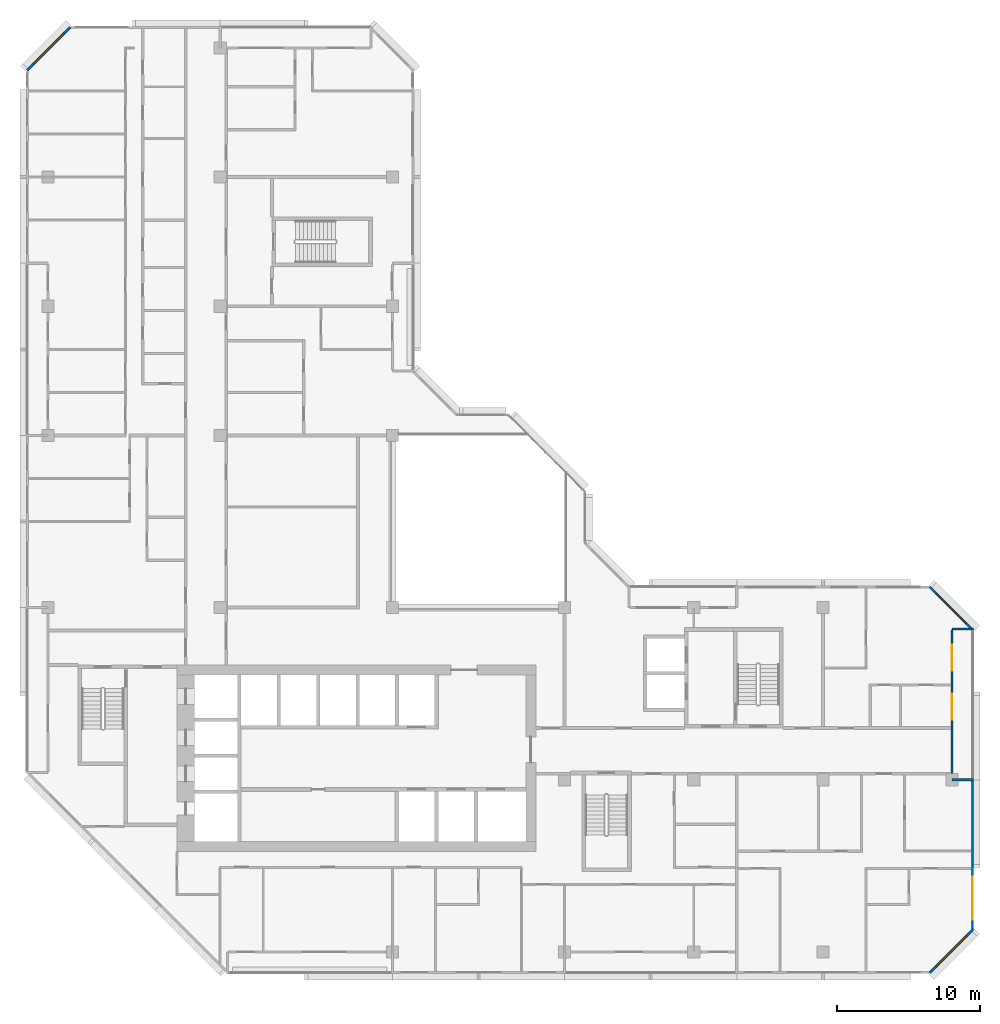
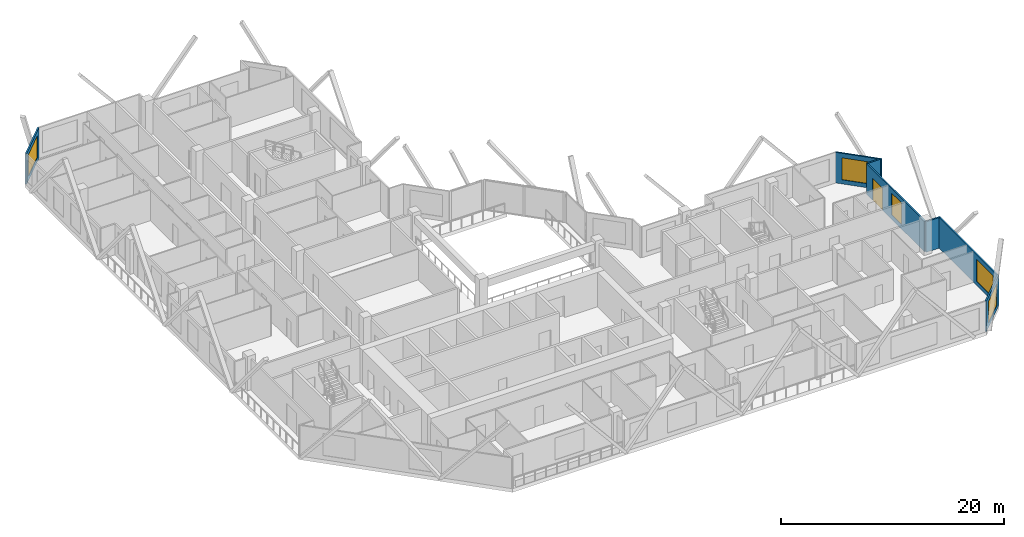
# One storey, part 12 of 15: 7 walls, 5 windows, 1 door, 6 openings.
"""IFC4 building model written with IfcOpenShell, lengths in metres."""

from ifc_helpers import new_model, si_unit, direction, frame, frame_2d, origin, place, context, subcontext, project, spatial, rectangle, extrude, material, layer, layer_set, type_object, element, fill, save


model = new_model("IFC4")

# Units and contexts
model_context = context("Model", 3, precision=1e-05, world=origin(), true_north=direction((0.0, 1.0)))
body_context = subcontext(model_context, "Body", "Model", "MODEL_VIEW")
ifc_project = project(units=[si_unit("LENGTHUNIT", "METRE"), si_unit("AREAUNIT", "SQUARE_METRE"), si_unit("VOLUMEUNIT", "CUBIC_METRE"), si_unit("PLANEANGLEUNIT", "RADIAN"), si_unit("MASSUNIT", "GRAM", prefix="KILO")], contexts=[model_context])

# Site, building, storey
site_placement = place(None, origin())
site = spatial("IfcSite", under=ifc_project, at=site_placement, CompositionType="ELEMENT")
building_placement = place(site_placement, origin())
building = spatial("IfcBuilding", under=site, at=building_placement, Name="Chenar Terraces", CompositionType="ELEMENT")
storey_placement = place(building_placement, frame((0.0, 0.0, 211.64990234375)))
storey = spatial("IfcBuildingStorey", under=building, at=storey_placement, Name="L49", CompositionType="ELEMENT", Elevation=211.64990234375)

# Wall, opening, window
ifc_material_1 = material(Name="Aluminium framed glazing", Category="aluminium")
ifc_layer_1 = layer(ifc_material_1, 0.14990234375)
ifc_layer_set_1 = layer_set([ifc_layer_1], Name="Aluminium framed glazing")
wall_type_1 = type_object("IfcWallType", Name="Glazed flush facade wall 150", PredefinedType="SOLIDWALL", material=ifc_layer_set_1)
wall_1_placement = place(storey_placement, frame((64.425048828125, 1.5, 0.0), z_axis=(0.0, 0.0, 1.0), x_axis=(0.0, 1.0, 0.0)))
wall_1 = element("IfcWall", 1, at=wall_1_placement, inside=storey, type_object=wall_type_1, Name="Glazed flush facade wall", PredefinedType="SOLIDWALL", context=body_context, shape_type="SweptSolid", body=[
    extrude(rectangle(XDim=10.425048828125, YDim=0.14990234375, at=frame_2d((5.21240234375, 0.0))), origin(), (0.0, 0.0, 1.0), 3.35009765625),
])
opening_1_placement = place(wall_1_placement, frame((0.75, 0.0, 0.449951171875)))
opening_1 = element("IfcOpeningElement", 2, at=opening_1_placement, cuts=wall_1, Name="Opening W300x240", PredefinedType="OPENING", context=body_context, shape_type="SweptSolid", body=[
    extrude(rectangle(XDim=3.0, YDim=2.39990234375, at=frame_2d((1.5, 1.199951171875))), frame((0.0, 0.0849609375, 0.0), z_axis=(0.0, -1.0, 0.0), x_axis=(1.0, 0.0, 0.0)), (0.0, 0.0, 1.0), 0.169921875),
])
ifc_material_2 = material(Name="Low emissivity double glazing, aluminium frame", Category="aluminium")
window_type_1 = type_object("IfcWindowType", Name="Fixed light 3000 x 2400", PartitioningType="SINGLE_PANEL", PredefinedType="WINDOW", material=ifc_material_2)
window_1_placement = place(opening_1_placement, origin())
window_1 = element("IfcWindow", 3, at=window_1_placement, inside=storey, type_object=window_type_1, Name="Window", OverallHeight=2.39990234375, OverallWidth=3.0, PartitioningType="SINGLE_PANEL", PredefinedType="WINDOW", context=body_context, shape_type="SweptSolid", body=[
    extrude(rectangle(XDim=3.0, YDim=2.39990234375, at=frame_2d((1.5, 1.199951171875))), frame((0.0, 0.030029296875, 0.0), z_axis=(0.0, -1.0, 0.0), x_axis=(1.0, 0.0, 0.0)), (0.0, 0.0, 1.0), 0.06005859375),
])
fill(opening_1, window_1)

# Wall, openings, window, door
ifc_material_3 = material(Name="Aluminium framed glazing", Category="aluminium")
ifc_layer_2 = layer(ifc_material_3, 0.14990234375)
ifc_layer_set_2 = layer_set([ifc_layer_2], Name="Aluminium framed glazing")
wall_type_2 = type_object("IfcWallType", Name="Glazed loggia back wall 150", PredefinedType="SOLIDWALL", material=ifc_layer_set_2)
wall_2_placement = place(storey_placement, frame((63.0, 12.074951171875, 0.0), z_axis=(0.0, 0.0, 1.0), x_axis=(0.0, 1.0, 0.0)))
wall_2 = element("IfcWall", 4, at=wall_2_placement, inside=storey, type_object=wall_type_2, Name="Glazed loggia back wall", PredefinedType="SOLIDWALL", context=body_context, shape_type="SweptSolid", body=[
    extrude(rectangle(XDim=10.35009765625, YDim=0.14990234375, at=frame_2d((5.175048828125, 0.0))), origin(), (0.0, 0.0, 1.0), 3.35009765625),
])
opening_2_placement = place(wall_2_placement, frame((4.125, 0.0, 0.449951171875)))
opening_2 = element("IfcOpeningElement", 5, at=opening_2_placement, cuts=wall_2, Name="Opening W180x240", PredefinedType="OPENING", context=body_context, shape_type="SweptSolid", body=[
    extrude(rectangle(XDim=1.800048828125, YDim=2.39990234375, at=frame_2d((0.89990234375, 1.199951171875))), frame((0.0, 0.0849609375, 0.0), z_axis=(0.0, -1.0, 0.0), x_axis=(1.0, 0.0, 0.0)), (0.0, 0.0, 1.0), 0.169921875),
])
opening_3_placement = place(wall_2_placement, frame((7.53759765625, 0.0, 0.0)))
opening_3 = element("IfcOpeningElement", 6, at=opening_3_placement, cuts=wall_2, Name="Opening DL49-G7", PredefinedType="OPENING", context=body_context, shape_type="SweptSolid", body=[
    extrude(rectangle(XDim=1.800048828125, YDim=2.39990234375, at=frame_2d((0.89990234375, 1.199951171875))), frame((0.0, 0.0849609375, 0.0), z_axis=(0.0, -1.0, 0.0), x_axis=(1.0, 0.0, 0.0)), (0.0, 0.0, 1.0), 0.169921875),
])
ifc_material_4 = material(Name="Low emissivity double glazing, aluminium frame", Category="aluminium")
window_type_2 = type_object("IfcWindowType", Name="Fixed light 1800 x 2400", PartitioningType="SINGLE_PANEL", PredefinedType="WINDOW", material=ifc_material_4)
window_2_placement = place(opening_2_placement, origin())
window_2 = element("IfcWindow", 7, at=window_2_placement, inside=storey, type_object=window_type_2, Name="Window", OverallHeight=2.39990234375, OverallWidth=1.800048828125, PartitioningType="SINGLE_PANEL", PredefinedType="WINDOW", context=body_context, shape_type="SweptSolid", body=[
    extrude(rectangle(XDim=1.800048828125, YDim=2.39990234375, at=frame_2d((0.89990234375, 1.199951171875))), frame((0.0, 0.030029296875, 0.0), z_axis=(0.0, -1.0, 0.0), x_axis=(1.0, 0.0, 0.0)), (0.0, 0.0, 1.0), 0.06005859375),
])
fill(opening_2, window_2)
ifc_material_5 = material(Name="Low emissivity double glazing, aluminium frame", Category="aluminium")
door_type = type_object("IfcDoorType", Name="Loggia glazed double door 1800 x 2400", OperationType="DOUBLE_DOOR_SINGLE_SWING", PredefinedType="DOOR", material=ifc_material_5)
door_placement = place(opening_3_placement, frame((1.800048828125, 0.0, 0.0), z_axis=(0.0, 0.0, 1.0), x_axis=(-1.0, 0.0, 0.0)))
door = element("IfcDoor", 8, at=door_placement, inside=storey, type_object=door_type, Name="Loggia glazed door", OperationType="DOUBLE_DOOR_SINGLE_SWING", OverallHeight=2.39990234375, OverallWidth=1.800048828125, PredefinedType="DOOR", context=body_context, shape_type="SweptSolid", body=[
    extrude(rectangle(XDim=1.800048828125, YDim=2.39990234375, at=frame_2d((0.89990234375, 1.199951171875))), frame((0.0, 0.02490234375, 0.0), z_axis=(0.0, -1.0, 0.0), x_axis=(1.0, 0.0, 0.0)), (0.0, 0.0, 1.0), 0.050048828125),
])
fill(opening_3, door)

# Walls
ifc_material_6 = material(Name="Terracotta cladding on insulated backing", Category="masonry")
ifc_layer_3 = layer(ifc_material_6, 0.14990234375)
ifc_layer_set_3 = layer_set([ifc_layer_3], Name="Terracotta cladding on insulated backing")
wall_type_3 = type_object("IfcWallType", Name="Loggia return wall 150", PredefinedType="SOLIDWALL", material=ifc_layer_set_3)
for number, where, z_axis, x_axis, name in (
    (9, (64.5, 12.0, 0.0), (0.0, 0.0, 1.0), (-1.0, 0.0, 0.0), "Loggia return wall"),
    (10, (64.5, 22.5, 0.0), (0.0, 0.0, 1.0), (-1.0, 0.0, 0.0), "Loggia return wall"),
):
    element("IfcWall", number, at=place(storey_placement, frame(where, z_axis=z_axis, x_axis=x_axis)), inside=storey, type_object=wall_type_3, Name=name, PredefinedType="SOLIDWALL", context=body_context, shape_type="SweptSolid", body=[
        extrude(rectangle(XDim=1.5, YDim=0.14990234375, at=frame_2d((0.75, 0.0))), origin(), (0.0, 0.0, 1.0), 3.35009765625),
    ])

# Wall, opening, window
ifc_material_7 = material(Name="Terracotta cladding on insulated backing", Category="masonry")
ifc_layer_4 = layer(ifc_material_7, 0.14990234375)
ifc_layer_set_4 = layer_set([ifc_layer_4], Name="Terracotta cladding on insulated backing")
wall_type_4 = type_object("IfcWallType", Name="Terracotta rainscreen wall 150", PredefinedType="SOLIDWALL", material=ifc_layer_set_4)
wall_3_placement = place(storey_placement, frame((1.552978515625, 64.447021484375, 0.0), z_axis=(0.0, 0.0, 1.0), x_axis=(-0.707106781187, -0.707106781187, 0.0)))
wall_3 = element("IfcWall", 11, at=wall_3_placement, inside=storey, type_object=wall_type_4, Name="Terracotta rainscreen wall", PredefinedType="SOLIDWALL", context=body_context, shape_type="SweptSolid", body=[
    extrude(rectangle(XDim=4.24267578125, YDim=0.14990234375, at=frame_2d((2.121337890625, 0.0))), origin(), (0.0, 0.0, 1.0), 3.35009765625),
])
opening_4_placement = place(wall_3_placement, frame((0.621337890625, 0.0, 0.449951171875)))
opening_4 = element("IfcOpeningElement", 12, at=opening_4_placement, cuts=wall_3, Name="Opening W300x240", PredefinedType="OPENING", context=body_context, shape_type="SweptSolid", body=[
    extrude(rectangle(XDim=3.0, YDim=2.39990234375, at=frame_2d((1.5, 1.199951171875))), frame((0.0, 0.0849609375, 0.0), z_axis=(0.0, -1.0, 0.0), x_axis=(1.0, 0.0, 0.0)), (0.0, 0.0, 1.0), 0.169921875),
])
window_3_placement = place(opening_4_placement, origin())
window_3 = element("IfcWindow", 13, at=window_3_placement, inside=storey, type_object=window_type_1, Name="Window", OverallHeight=2.39990234375, OverallWidth=3.0, PartitioningType="SINGLE_PANEL", PredefinedType="WINDOW", context=body_context, shape_type="SweptSolid", body=[
    extrude(rectangle(XDim=3.0, YDim=2.39990234375, at=frame_2d((1.5, 1.199951171875))), frame((0.0, 0.030029296875, 0.0), z_axis=(0.0, -1.0, 0.0), x_axis=(1.0, 0.0, 0.0)), (0.0, 0.0, 1.0), 0.06005859375),
])
fill(opening_4, window_3)

wall_4_placement = place(storey_placement, frame((61.447021484375, -1.447021484375, 0.0), z_axis=(0.0, 0.0, 1.0), x_axis=(0.707106781187, 0.707106781187, 0.0)))
wall_4 = element("IfcWall", 14, at=wall_4_placement, inside=storey, type_object=wall_type_4, Name="Terracotta rainscreen wall", PredefinedType="SOLIDWALL", context=body_context, shape_type="SweptSolid", body=[
    extrude(rectangle(XDim=4.24267578125, YDim=0.14990234375, at=frame_2d((2.121337890625, 0.0))), origin(), (0.0, 0.0, 1.0), 3.35009765625),
])
opening_5_placement = place(wall_4_placement, frame((0.621337890625, 0.0, 0.449951171875)))
opening_5 = element("IfcOpeningElement", 15, at=opening_5_placement, cuts=wall_4, Name="Opening W300x240", PredefinedType="OPENING", context=body_context, shape_type="SweptSolid", body=[
    extrude(rectangle(XDim=3.0, YDim=2.39990234375, at=frame_2d((1.5, 1.199951171875))), frame((0.0, 0.0849609375, 0.0), z_axis=(0.0, -1.0, 0.0), x_axis=(1.0, 0.0, 0.0)), (0.0, 0.0, 1.0), 0.169921875),
])
window_4_placement = place(opening_5_placement, origin())
window_4 = element("IfcWindow", 16, at=window_4_placement, inside=storey, type_object=window_type_1, Name="Window", OverallHeight=2.39990234375, OverallWidth=3.0, PartitioningType="SINGLE_PANEL", PredefinedType="WINDOW", context=body_context, shape_type="SweptSolid", body=[
    extrude(rectangle(XDim=3.0, YDim=2.39990234375, at=frame_2d((1.5, 1.199951171875))), frame((0.0, 0.030029296875, 0.0), z_axis=(0.0, -1.0, 0.0), x_axis=(1.0, 0.0, 0.0)), (0.0, 0.0, 1.0), 0.06005859375),
])
fill(opening_5, window_4)

wall_5_placement = place(storey_placement, frame((64.447021484375, 22.447021484375, 0.0), z_axis=(0.0, 0.0, 1.0), x_axis=(-0.707106781187, 0.707106781187, 0.0)))
wall_5 = element("IfcWall", 17, at=wall_5_placement, inside=storey, type_object=wall_type_4, Name="Terracotta rainscreen wall", PredefinedType="SOLIDWALL", context=body_context, shape_type="SweptSolid", body=[
    extrude(rectangle(XDim=4.24267578125, YDim=0.14990234375, at=frame_2d((2.121337890625, 0.0))), origin(), (0.0, 0.0, 1.0), 3.35009765625),
])
opening_6_placement = place(wall_5_placement, frame((0.621337890625, 0.0, 0.449951171875)))
opening_6 = element("IfcOpeningElement", 18, at=opening_6_placement, cuts=wall_5, Name="Opening W300x240", PredefinedType="OPENING", context=body_context, shape_type="SweptSolid", body=[
    extrude(rectangle(XDim=3.0, YDim=2.39990234375, at=frame_2d((1.5, 1.199951171875))), frame((0.0, 0.0849609375, 0.0), z_axis=(0.0, -1.0, 0.0), x_axis=(1.0, 0.0, 0.0)), (0.0, 0.0, 1.0), 0.169921875),
])
window_5_placement = place(opening_6_placement, origin())
window_5 = element("IfcWindow", 19, at=window_5_placement, inside=storey, type_object=window_type_1, Name="Window", OverallHeight=2.39990234375, OverallWidth=3.0, PartitioningType="SINGLE_PANEL", PredefinedType="WINDOW", context=body_context, shape_type="SweptSolid", body=[
    extrude(rectangle(XDim=3.0, YDim=2.39990234375, at=frame_2d((1.5, 1.199951171875))), frame((0.0, 0.030029296875, 0.0), z_axis=(0.0, -1.0, 0.0), x_axis=(1.0, 0.0, 0.0)), (0.0, 0.0, 1.0), 0.06005859375),
])
fill(opening_6, window_5)

save(model, "model.ifc")
